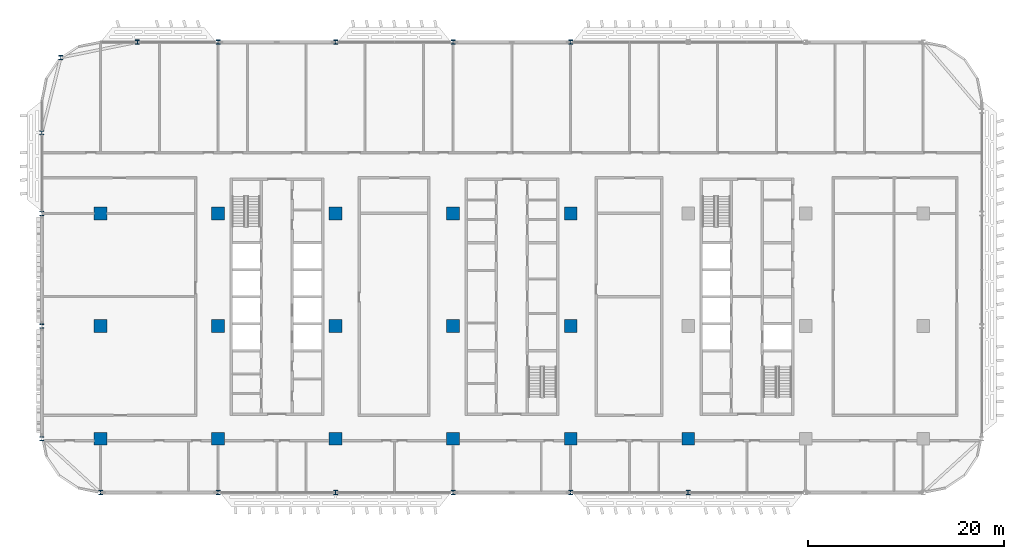
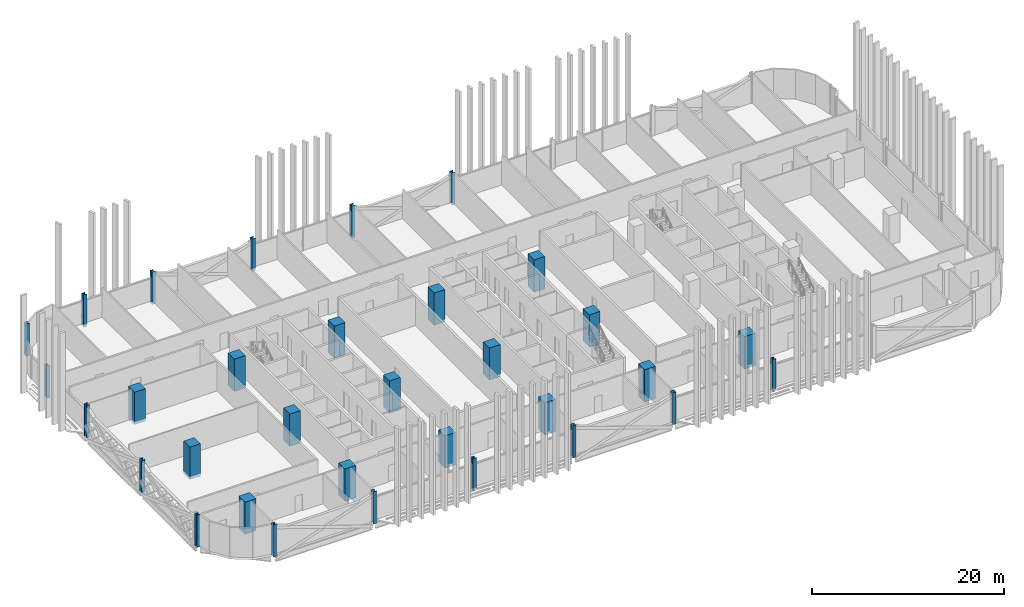
# One storey, part 1 of 32: 32 columns.
"""IFC4 building model written with IfcOpenShell, lengths in metres."""

from ifc_helpers import new_model, si_unit, direction, frame, origin, origin_2d, place, context, subcontext, project, spatial, rectangle, i_section, extrude, material, material_profile, profile_set, type_object, element, save


model = new_model("IFC4")

# Units and contexts
model_context = context("Model", 3, precision=1e-05, world=origin(), true_north=direction((0.0, 1.0)))
body_context = subcontext(model_context, "Body", "Model", "MODEL_VIEW")
ifc_project = project(units=[si_unit("LENGTHUNIT", "METRE"), si_unit("AREAUNIT", "SQUARE_METRE"), si_unit("VOLUMEUNIT", "CUBIC_METRE"), si_unit("PLANEANGLEUNIT", "RADIAN"), si_unit("MASSUNIT", "GRAM", prefix="KILO")], contexts=[model_context])

# Site, building, storey
site_placement = place(None, origin())
site = spatial("IfcSite", under=ifc_project, at=site_placement, CompositionType="ELEMENT")
building_placement = place(site_placement, origin())
building = spatial("IfcBuilding", under=site, at=building_placement, Name="Mahtab Terrace Research Tower", CompositionType="ELEMENT")
storey_placement = place(building_placement, frame((0.0, 0.0, 138.39990234375)))
storey = spatial("IfcBuildingStorey", under=building, at=storey_placement, Name="L32", CompositionType="ELEMENT", Elevation=138.39990234375)

# Columns
ifc_material_1 = material(Name="Concrete C70/85", Category="concrete")
ifc_material_profile_1 = material_profile(ifc_material_1, rectangle(XDim=1.300048828125, YDim=1.300048828125, at=origin_2d()), Name="RC column 1300x1300")
ifc_profile_set_1 = profile_set([ifc_material_profile_1], Name="Concrete C70/85")
column_type_1 = type_object("IfcColumnType", Name="RC column 1300x1300", PredefinedType="COLUMN", material=ifc_profile_set_1)
for number, where, z_axis, x_axis, name in (
    (1, (-42.0, -11.5, -0.33984375), (0.0, 0.0, 1.0), (1.0, 0.0, 0.0), "Column RC-1A L32"),
    (2, (-42.0, 0.0, -0.33984375), (0.0, 0.0, 1.0), (1.0, 0.0, 0.0), "Column RC-1B L32"),
    (3, (-42.0, 11.5, -0.33984375), (0.0, 0.0, 1.0), (1.0, 0.0, 0.0), "Column RC-1C L32"),
    (4, (-30.0, -11.5, -0.33984375), (0.0, 0.0, 1.0), (1.0, 0.0, 0.0), "Column RC-2A L32"),
    (5, (-30.0, 0.0, -0.33984375), (0.0, 0.0, 1.0), (1.0, 0.0, 0.0), "Column RC-2B L32"),
    (6, (-30.0, 11.5, -0.33984375), (0.0, 0.0, 1.0), (1.0, 0.0, 0.0), "Column RC-2C L32"),
    (7, (-18.0, -11.5, -0.33984375), (0.0, 0.0, 1.0), (1.0, 0.0, 0.0), "Column RC-3A L32"),
    (8, (-18.0, 0.0, -0.33984375), (0.0, 0.0, 1.0), (1.0, 0.0, 0.0), "Column RC-3B L32"),
    (9, (-18.0, 11.5, -0.33984375), (0.0, 0.0, 1.0), (1.0, 0.0, 0.0), "Column RC-3C L32"),
    (10, (-6.0, -11.5, -0.33984375), (0.0, 0.0, 1.0), (1.0, 0.0, 0.0), "Column RC-4A L32"),
    (11, (-6.0, 0.0, -0.33984375), (0.0, 0.0, 1.0), (1.0, 0.0, 0.0), "Column RC-4B L32"),
    (12, (-6.0, 11.5, -0.33984375), (0.0, 0.0, 1.0), (1.0, 0.0, 0.0), "Column RC-4C L32"),
    (13, (6.0, -11.5, -0.33984375), (0.0, 0.0, 1.0), (1.0, 0.0, 0.0), "Column RC-5A L32"),
    (14, (6.0, 0.0, -0.33984375), (0.0, 0.0, 1.0), (1.0, 0.0, 0.0), "Column RC-5B L32"),
    (15, (6.0, 11.5, -0.33984375), (0.0, 0.0, 1.0), (1.0, 0.0, 0.0), "Column RC-5C L32"),
    (16, (18.0, -11.5, -0.33984375), (0.0, 0.0, 1.0), (1.0, 0.0, 0.0), "Column RC-6A L32"),
):
    element("IfcColumn", number, at=place(storey_placement, frame(where, z_axis=z_axis, x_axis=x_axis)), inside=storey, type_object=column_type_1, Name=name, PredefinedType="COLUMN", context=body_context, shape_type="SweptSolid", body=[
        extrude(rectangle(XDim=1.300048828125, YDim=1.300048828125, at=origin_2d()), origin(), (0.0, 0.0, 1.0), 4.099853515625),
    ])
ifc_material_2 = material(Name="Steel ASTM A992 Gr 50", Category="steel")
ifc_material_profile_2 = material_profile(ifc_material_2, i_section(OverallWidth=0.41162109375, OverallDepth=0.434326171875, WebThickness=0.035888671875, FlangeThickness=0.057373046875, at=origin_2d()), Name="W14X311")
ifc_profile_set_2 = profile_set([ifc_material_profile_2], Name="Steel ASTM A992 Gr 50")
column_type_2 = type_object("IfcColumnType", Name="W14x311 column CS14311", PredefinedType="COLUMN", material=ifc_profile_set_2)
for number, where, z_axis, x_axis, name in (
    (17, (6.0, 29.0, -0.33984375), (0.0, 0.0, 1.0), (1.0, 0.0, 0.0), "Column SC-034 L32"),
    (18, (-6.0, 29.0, -0.33984375), (0.0, 0.0, 1.0), (1.0, 0.0, 0.0), "Column SC-035 L32"),
    (19, (-18.0, 29.0, -0.33984375), (0.0, 0.0, 1.0), (1.0, 0.0, 0.0), "Column SC-036 L32"),
    (20, (-30.0, 29.0, -0.33984375), (0.0, 0.0, 1.0), (1.0, 0.0, 0.0), "Column SC-037 L32"),
    (21, (-38.23095703125, 29.0, -0.33984375), (0.0, 0.0, 1.0), (1.0, 0.0, 0.0), "Column SC-046 L32"),
    (22, (-46.06201171875, 27.416015625, -0.33984375), (0.0, 0.0, 1.0), (1.0, 0.0, 0.0), "Column SC-047 L32"),
    (23, (-48.0, 19.73095703125, -0.33984375), (0.0, 0.0, 1.0), (1.0, 0.0, 0.0), "Column SC-048 L32"),
    (24, (-48.0, 11.5, -0.33984375), (0.0, 0.0, 1.0), (1.0, 0.0, 0.0), "Column SC-009 L32"),
    (25, (-48.0, 0.0, -0.33984375), (0.0, 0.0, 1.0), (1.0, 0.0, 0.0), "Column SC-010 L32"),
    (26, (-48.0, -11.5, -0.33984375), (0.0, 0.0, 1.0), (1.0, 0.0, 0.0), "Column SC-011 L32"),
    (27, (-42.0, -17.0, -0.33984375), (0.0, 0.0, 1.0), (1.0, 0.0, 0.0), "Column SC-049 L32"),
    (28, (-30.0, -17.0, -0.33984375), (0.0, 0.0, 1.0), (1.0, 0.0, 0.0), "Column SC-039 L32"),
    (29, (-18.0, -17.0, -0.33984375), (0.0, 0.0, 1.0), (1.0, 0.0, 0.0), "Column SC-040 L32"),
    (30, (-6.0, -17.0, -0.33984375), (0.0, 0.0, 1.0), (1.0, 0.0, 0.0), "Column SC-041 L32"),
    (31, (6.0, -17.0, -0.33984375), (0.0, 0.0, 1.0), (1.0, 0.0, 0.0), "Column SC-042 L32"),
    (32, (18.0, -17.0, -0.33984375), (0.0, 0.0, 1.0), (1.0, 0.0, 0.0), "Column SC-043 L32"),
):
    element("IfcColumn", number, at=place(storey_placement, frame(where, z_axis=z_axis, x_axis=x_axis)), inside=storey, type_object=column_type_2, Name=name, PredefinedType="COLUMN", context=body_context, shape_type="SweptSolid", body=[
        extrude(i_section(OverallWidth=0.41162109375, OverallDepth=0.434326171875, WebThickness=0.035888671875, FlangeThickness=0.057373046875, at=origin_2d()), origin(), (0.0, 0.0, 1.0), 4.099853515625),
    ])

save(model, "model.ifc")
